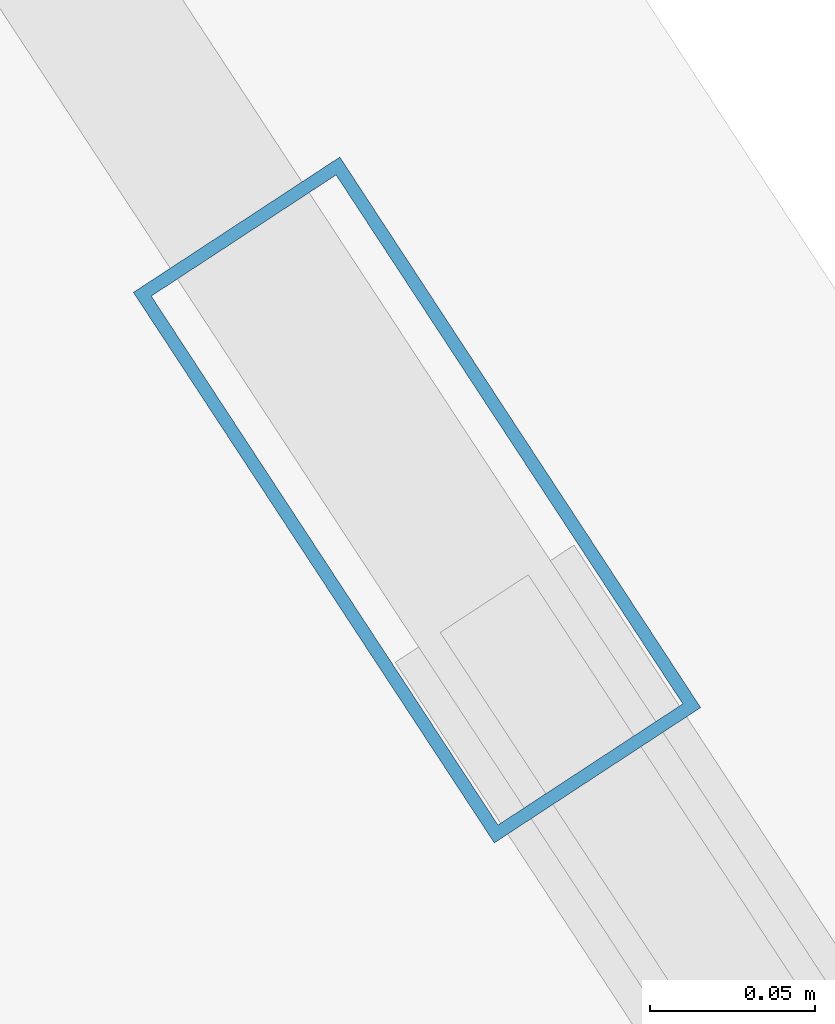
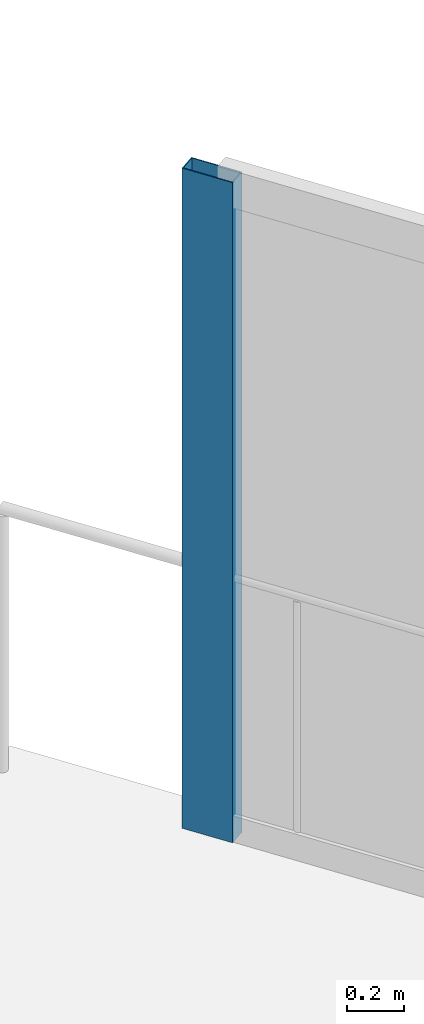
# One storey, part 5 of 14: 1 member, 1 element without a shape of its own.
"""IFC4 building model written with IfcOpenShell, lengths in metres."""

from ifc_helpers import new_model, si_unit, direction, frame, origin, origin_2d, place, context, subcontext, project, spatial, hollow_rectangle, extrude, material, layer, layer_set, material_profile, profile_set, type_object, element, aggregate, save


model = new_model("IFC4")

# Units and contexts
model_context = context("Model", 3, precision=1e-05, world=origin(), true_north=direction((0.0, 1.0)))
body_context = subcontext(model_context, "Body", "Model", "MODEL_VIEW")
ifc_project = project(units=[si_unit("LENGTHUNIT", "METRE"), si_unit("AREAUNIT", "SQUARE_METRE"), si_unit("VOLUMEUNIT", "CUBIC_METRE"), si_unit("PLANEANGLEUNIT", "RADIAN"), si_unit("MASSUNIT", "GRAM", prefix="KILO")], contexts=[model_context])

# Site, building, storey
site_placement = place(None, origin())
site = spatial("IfcSite", under=ifc_project, at=site_placement, CompositionType="ELEMENT")
building_placement = place(site_placement, origin())
building = spatial("IfcBuilding", under=site, at=building_placement, Name="Solvane Sanctuary Tower", CompositionType="ELEMENT")
storey_placement = place(building_placement, frame((0.0, 0.0, 88.699951171875)))
storey = spatial("IfcBuildingStorey", under=building, at=storey_placement, Name="L26", CompositionType="ELEMENT", Elevation=88.699951171875)

# Curtain wall, member
ifc_material = material(Name="Anodised Aluminium 6063-T6", Category="aluminium")
ifc_layer = layer(ifc_material, 0.2099609375, Name="Anodised Aluminium 6063-T6")
ifc_layer_set = layer_set([ifc_layer], Name="Anodised Aluminium 6063-T6")
curtain_wall_type = type_object("IfcCurtainWallType", Name="Curtain Wall CW-PORTAL", PredefinedType="NOTDEFINED", material=ifc_layer_set)
curtain_wall_placement = place(storey_placement, origin())
curtain_wall = element("IfcCurtainWall", 1, at=curtain_wall_placement, inside=storey, type_object=curtain_wall_type, Name="L26 CW-PORTAL Facade Run 01", PredefinedType="NOTDEFINED")
ifc_material_profile = material_profile(ifc_material, hollow_rectangle(XDim=0.074951171875, YDim=0.199951171875, WallThickness=0.00390625, at=origin_2d()), Name="ALU200X75X4")
ifc_profile_set = profile_set([ifc_material_profile], Name="Anodised Aluminium 6063-T6")
member_type = type_object("IfcMemberType", Name="Member M-CW-MUL-1 ALU200X75X4", PredefinedType="MULLION", material=ifc_profile_set)
member_placement = place(storey_placement, frame((53.290771484375, 32.0693359375, 0.0), z_axis=(0.0, 0.0, 1.0), x_axis=(-0.8362976391, -0.548275714249, 0.0)))
member = element("IfcMember", 2, at=member_placement, type_object=member_type, Name="CW-PORTAL mullion 2", PredefinedType="MULLION", context=body_context, shape_type="SweptSolid", body=[
    extrude(hollow_rectangle(XDim=0.074951171875, YDim=0.199951171875, WallThickness=0.00390625, at=origin_2d()), origin(), (0.0, 0.0, 1.0), 2.840087890625),
])
aggregate(curtain_wall, [member])

save(model, "model.ifc")
